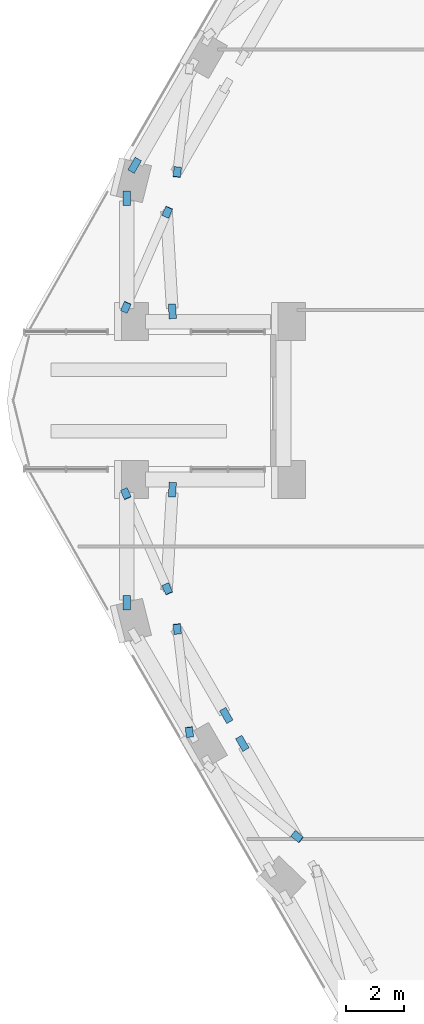
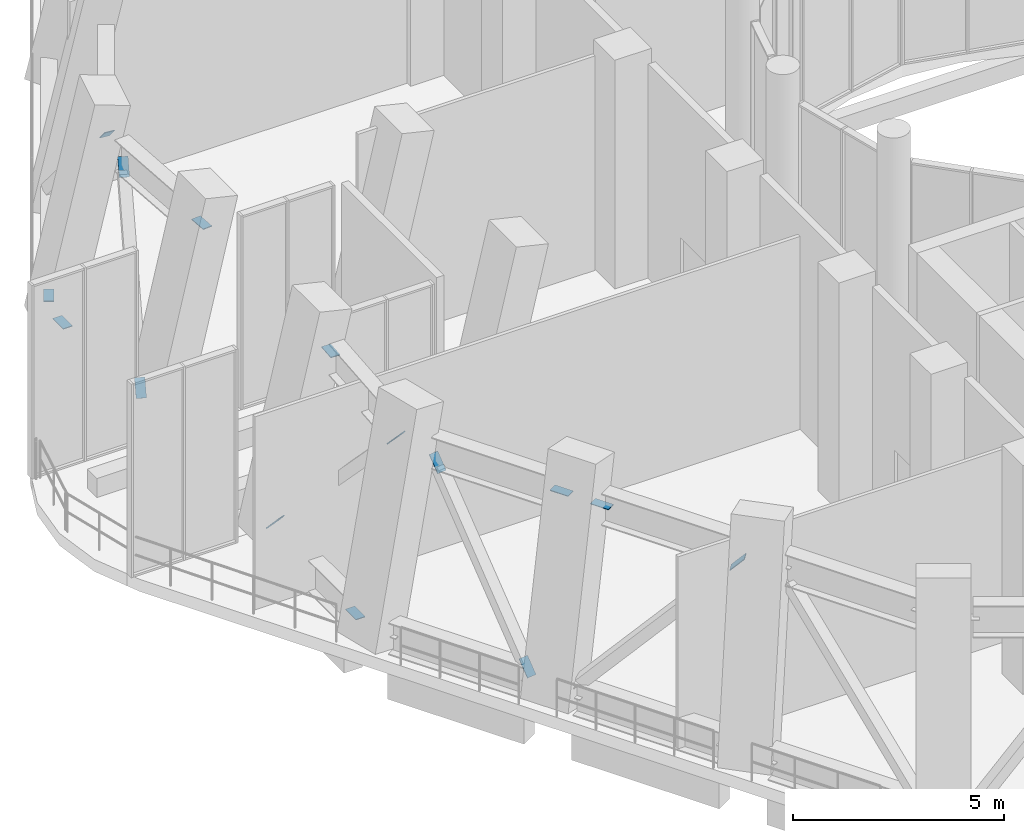
# One storey, part 12 of 19: 15 discrete accessories.
"""IFC4 building model written with IfcOpenShell, lengths in metres."""

from ifc_helpers import new_model, si_unit, direction, frame, origin, origin_2d, place, context, subcontext, project, spatial, rectangle, extrude, material, material_profile, profile_set, type_object, element, save


model = new_model("IFC4")

# Units and contexts
model_context = context("Model", 3, precision=1e-05, world=origin(), true_north=direction((0.0, 1.0)))
body_context = subcontext(model_context, "Body", "Model", "MODEL_VIEW")
ifc_project = project(units=[si_unit("LENGTHUNIT", "METRE"), si_unit("AREAUNIT", "SQUARE_METRE"), si_unit("VOLUMEUNIT", "CUBIC_METRE"), si_unit("PLANEANGLEUNIT", "RADIAN"), si_unit("MASSUNIT", "GRAM", prefix="KILO")], contexts=[model_context])

# Site, building, storey
site_placement = place(None, origin())
site = spatial("IfcSite", under=ifc_project, at=site_placement, CompositionType="ELEMENT")
building_placement = place(site_placement, origin())
building = spatial("IfcBuilding", under=site, at=building_placement, Name="Nakaniwa Court", CompositionType="ELEMENT")
storey_placement = place(building_placement, frame((0.0, 0.0, 170.10009765625)))
storey = spatial("IfcBuildingStorey", under=building, at=storey_placement, Name="S3", CompositionType="ELEMENT", Elevation=170.10009765625)

# Discrete accessories
ifc_material = material(Name="Steel Grade 350", Category="steel")
ifc_material_profile = material_profile(ifc_material, rectangle(XDim=0.25, YDim=0.02001953125, at=origin_2d()), Name="Truss end gusset plate 250x20")
ifc_profile_set = profile_set([ifc_material_profile], Name="Steel Grade 350")
discrete_accessory_type = type_object("IfcDiscreteAccessoryType", Name="Truss end gusset plate 250x20", PredefinedType="BRACKET", material=ifc_profile_set)
discrete_accessory_1_placement = place(storey_placement, frame((57.5771484375, 88.262451171875, 0.4580078125), z_axis=(-0.500131122175, -0.865949687125, 0.0), x_axis=(0.865949687125, -0.500131122175, 0.0)))
element("IfcDiscreteAccessory", 1, at=discrete_accessory_1_placement, inside=storey, type_object=discrete_accessory_type, Name="Gusset plate GU-362", PredefinedType="BRACKET", context=body_context, shape_type="SweptSolid", body=[
    extrude(rectangle(XDim=0.25, YDim=0.02001953125, at=origin_2d()), origin(), (0.0, 0.0, 1.0), 0.499755859375),
])
for number, where, z_axis, x_axis, name in (
    (2, (58.927978515625, 87.98193359375, 4.56298828125), (-0.079114871081, -0.668081133577, 0.739870553632), (0.993061123194, -0.117599343536, 0.0), "Gusset plate GU-365"),
    (3, (57.177001953125, 86.669189453125, 0.4580078125), (0.0, 1.0, 0.0), (-1.0, 0.0, 0.0), "Gusset plate GU-366"),
    (4, (58.727294921875, 83.2998046875, 5.1318359375), (0.058092437064, -0.998311208369, 0.0), (0.998311208369, 0.058092437064, 0.0), "Gusset plate GU-367"),
    (5, (58.500732421875, 86.2890625, 4.56298828125), (0.268599838925, 0.616802902841, 0.739870465403), (-0.916839084888, 0.399256925327, 0.0), "Gusset plate GU-368"),
    (6, (57.21728515625, 83.342529296875, 1.02685546875), (-0.268599838925, -0.616802902841, -0.739870465403), (0.916839084888, -0.399256925327, 0.0), "Gusset plate GU-369"),
    (7, (57.177001953125, 73.330810546875, 0.4580078125), (0.0, -1.0, 0.0), (1.0, 0.0, 0.0), "Gusset plate GU-370"),
    (8, (58.727294921875, 76.7001953125, 5.1318359375), (0.058092437064, 0.998311208369, 0.0), (-0.998311208369, 0.058092437064, 0.0), "Gusset plate GU-371"),
    (9, (57.21728515625, 76.657470703125, 1.02685546875), (-0.268599838925, 0.616802902841, -0.739870465403), (-0.916839084888, -0.399256925327, 0.0), "Gusset plate GU-372"),
    (10, (58.500732421875, 73.7109375, 4.56298828125), (0.268599838925, -0.616802902841, 0.739870465403), (0.916839084888, 0.399256925327, 0.0), "Gusset plate GU-373"),
    (11, (60.460693359375, 69.443115234375, 5.1318359375), (0.499919672301, -0.866071776036, 0.0), (0.866071776036, 0.499919672301, 0.0), "Gusset plate GU-376"),
    (12, (58.927978515625, 72.01806640625, 4.56298828125), (-0.079114871081, 0.668081133577, 0.739870553632), (-0.993061123194, -0.117599343536, 0.0), "Gusset plate GU-377"),
    (13, (59.3046875, 68.824951171875, 1.02685546875), (0.079114871081, -0.668081133577, -0.739870553632), (0.993061123194, 0.117599343536, 0.0), "Gusset plate GU-378"),
):
    element("IfcDiscreteAccessory", number, at=place(storey_placement, frame(where, z_axis=z_axis, x_axis=x_axis)), inside=storey, type_object=discrete_accessory_type, Name=name, PredefinedType="BRACKET", context=body_context, shape_type="SweptSolid", body=[
        extrude(rectangle(XDim=0.25, YDim=0.02001953125, at=origin_2d()), origin(), (0.0, 0.0, 1.0), 0.5),
    ])
discrete_accessory_2_placement = place(storey_placement, frame((61.2607421875, 68.0576171875, 5.1318359375), z_axis=(-0.500131122175, 0.865949687125, 0.0), x_axis=(-0.865949687125, -0.500131122175, 0.0)))
element("IfcDiscreteAccessory", 14, at=discrete_accessory_2_placement, inside=storey, type_object=discrete_accessory_type, Name="Gusset plate GU-381", PredefinedType="BRACKET", context=body_context, shape_type="SweptSolid", body=[
    extrude(rectangle(XDim=0.25, YDim=0.02001953125, at=origin_2d()), origin(), (0.0, 0.0, 1.0), 0.499755859375),
])
discrete_accessory_3_placement = place(storey_placement, frame((62.87158203125, 65.1904296875, 4.56689453125), z_axis=(0.547843333752, -0.43700515482, 0.713368191276), x_axis=(0.623589821408, 0.781751709072, 0.0)))
element("IfcDiscreteAccessory", 15, at=discrete_accessory_3_placement, inside=storey, type_object=discrete_accessory_type, Name="Gusset plate GU-383", PredefinedType="BRACKET", context=body_context, shape_type="SweptSolid", body=[
    extrude(rectangle(XDim=0.25, YDim=0.02001953125, at=origin_2d()), origin(), (0.0, 0.0, 1.0), 0.5),
])

save(model, "model.ifc")
